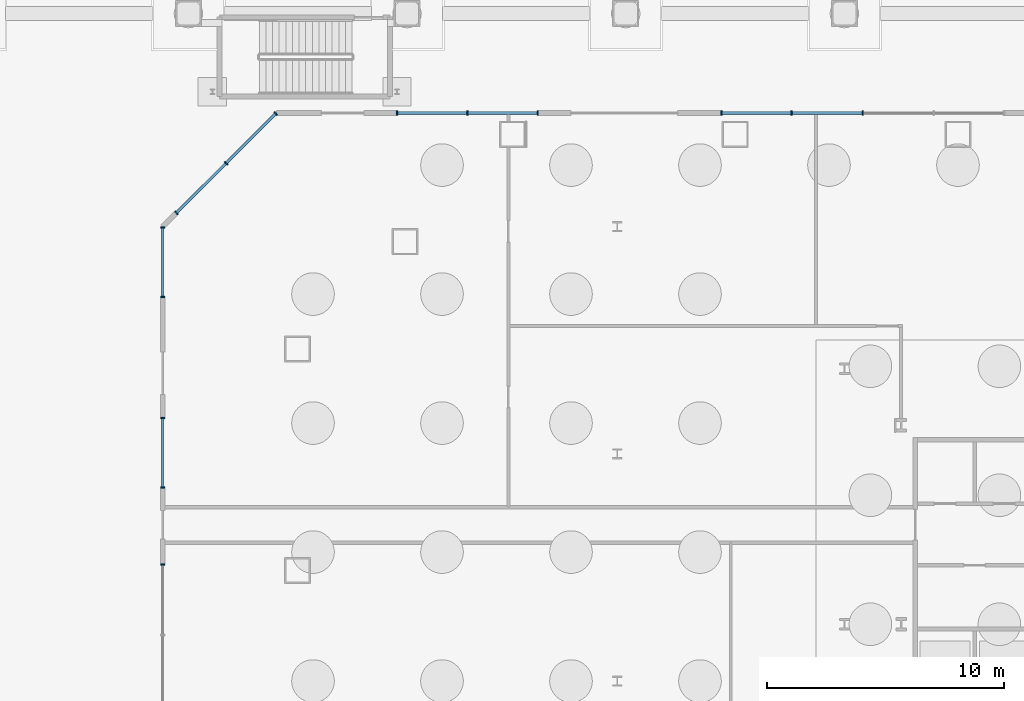
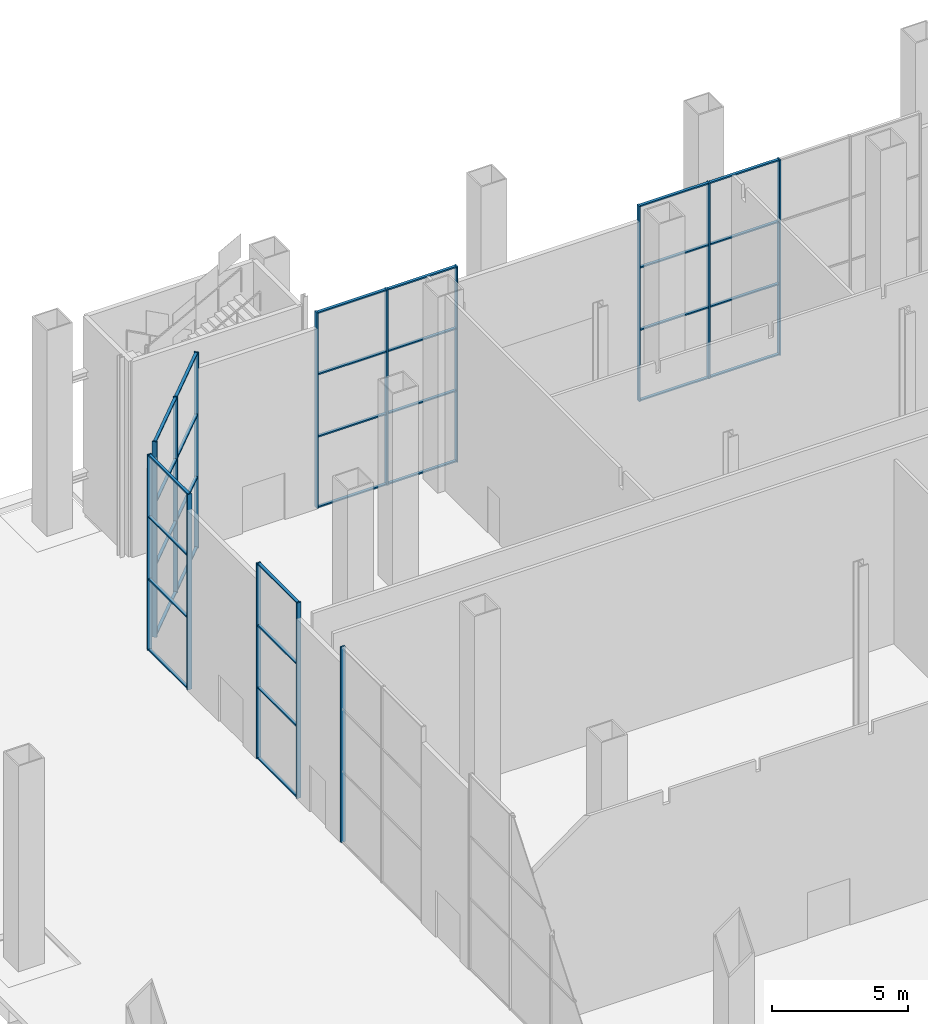
# One storey, part 15 of 38: 46 members, 6 elements without a shape of their own.
"""IFC4 building model written with IfcOpenShell, lengths in metres."""

from ifc_helpers import new_model, si_unit, direction, frame, origin, origin_2d, place, context, subcontext, project, spatial, rectangle, extrude, material, material_profile, profile_set, type_object, element, aggregate, save


model = new_model("IFC4")

# Units and contexts
model_context = context("Model", 3, precision=1e-05, world=origin(), true_north=direction((0.0, 1.0)))
body_context = subcontext(model_context, "Body", "Model", "MODEL_VIEW")
ifc_project = project(units=[si_unit("LENGTHUNIT", "METRE"), si_unit("AREAUNIT", "SQUARE_METRE"), si_unit("VOLUMEUNIT", "CUBIC_METRE"), si_unit("PLANEANGLEUNIT", "RADIAN"), si_unit("MASSUNIT", "GRAM", prefix="KILO")], contexts=[model_context])

# Site, building, storey
site_placement = place(None, origin())
site = spatial("IfcSite", under=ifc_project, at=site_placement, CompositionType="ELEMENT")
building_placement = place(site_placement, origin())
building = spatial("IfcBuilding", under=site, at=building_placement, Name="Cairn Pilgrim Tower", CompositionType="ELEMENT")
storey_placement = place(building_placement, origin())
storey = spatial("IfcBuildingStorey", under=building, at=storey_placement, Name="L00", CompositionType="ELEMENT", Elevation=0.0)

# Curtain wall, members
ifc_material_1 = material(Name="Bronze anodised aluminium with Tinted laminated low-E glass", Category="aluminium")
curtain_wall_type = type_object("IfcCurtainWallType", Name="PAVILION CW", PredefinedType="NOTDEFINED", material=ifc_material_1)
curtain_wall_1_placement = place(storey_placement, origin())
curtain_wall_1 = element("IfcCurtainWall", 1, at=curtain_wall_1_placement, inside=storey, type_object=curtain_wall_type, Name="PAVILION CW 4.5", PredefinedType="NOTDEFINED")
ifc_material_2 = material(Name="Bronze anodised aluminium", Category="aluminium")
ifc_material_profile_1 = material_profile(ifc_material_2, rectangle(XDim=0.179931640625, YDim=0.06005859375, at=origin_2d()), Name="PAVILION MULLION 60x180 BRONZE")
ifc_profile_set_1 = profile_set([ifc_material_profile_1], Name="Bronze anodised aluminium")
member_type_1 = type_object("IfcMemberType", Name="PAVILION MULLION 60x180 BRONZE", PredefinedType="MULLION", material=ifc_profile_set_1)
member_1_placement = place(storey_placement, frame((-4.02490234375, 24.0, 0.0), z_axis=(0.0, 0.0, 1.0), x_axis=(0.0, -1.0, 0.0)))
member_1 = element("IfcMember", 2, at=member_1_placement, type_object=member_type_1, Name="PCW-45 mullion 3", PredefinedType="MULLION", context=body_context, shape_type="SweptSolid", body=[
    extrude(rectangle(XDim=0.179931640625, YDim=0.06005859375, at=origin_2d()), origin(), (0.0, 0.0, 1.0), 8.800048828125),
])
member_2_placement = place(storey_placement, frame((-7.02490234375, 24.0, 0.0), z_axis=(0.0, 0.0, 1.0), x_axis=(0.0, -1.0, 0.0)))
member_2 = element("IfcMember", 3, at=member_2_placement, type_object=member_type_1, Name="PCW-45 mullion 4", PredefinedType="MULLION", context=body_context, shape_type="SweptSolid", body=[
    extrude(rectangle(XDim=0.179931640625, YDim=0.06005859375, at=origin_2d()), origin(), (0.0, 0.0, 1.0), 8.800048828125),
])
member_3_placement = place(storey_placement, frame((-9.9951171875, 24.0, 0.0), z_axis=(0.0, 0.0, 1.0), x_axis=(0.0, -1.0, 0.0)))
member_3 = element("IfcMember", 4, at=member_3_placement, type_object=member_type_1, Name="PCW-45 mullion 5", PredefinedType="MULLION", context=body_context, shape_type="SweptSolid", body=[
    extrude(rectangle(XDim=0.179931640625, YDim=0.06005859375, at=origin_2d()), origin(), (0.0, 0.0, 1.0), 8.800048828125),
])

curtain_wall_2_placement = place(storey_placement, origin())
curtain_wall_2 = element("IfcCurtainWall", 5, at=curtain_wall_2_placement, inside=storey, type_object=curtain_wall_type, Name="PAVILION CW 4.7", PredefinedType="NOTDEFINED")
member_4_placement = place(storey_placement, frame((-17.7548828125, 24.0, 0.0), z_axis=(0.0, 0.0, 1.0), x_axis=(0.0, -1.0, 0.0)))
member_4 = element("IfcMember", 6, at=member_4_placement, type_object=member_type_1, Name="PCW-47 mullion 1", PredefinedType="MULLION", context=body_context, shape_type="SweptSolid", body=[
    extrude(rectangle(XDim=0.179931640625, YDim=0.06005859375, at=origin_2d()), origin(), (0.0, 0.0, 1.0), 8.800048828125),
])
member_5_placement = place(storey_placement, frame((-20.72509765625, 24.0, 0.0), z_axis=(0.0, 0.0, 1.0), x_axis=(0.0, -1.0, 0.0)))
member_5 = element("IfcMember", 7, at=member_5_placement, type_object=member_type_1, Name="PCW-47 mullion 2", PredefinedType="MULLION", context=body_context, shape_type="SweptSolid", body=[
    extrude(rectangle(XDim=0.179931640625, YDim=0.06005859375, at=origin_2d()), origin(), (0.0, 0.0, 1.0), 8.800048828125),
])
member_6_placement = place(storey_placement, frame((-23.695068359375, 24.0, 0.0), z_axis=(0.0, 0.0, 1.0), x_axis=(0.0, -1.0, 0.0)))
member_6 = element("IfcMember", 8, at=member_6_placement, type_object=member_type_1, Name="PCW-47 mullion 3", PredefinedType="MULLION", context=body_context, shape_type="SweptSolid", body=[
    extrude(rectangle(XDim=0.179931640625, YDim=0.06005859375, at=origin_2d()), origin(), (0.0, 0.0, 1.0), 8.800048828125),
])

curtain_wall_3_placement = place(storey_placement, origin())
curtain_wall_3 = element("IfcCurtainWall", 9, at=curtain_wall_3_placement, inside=storey, type_object=curtain_wall_type, Name="PAVILION CW 5.1", PredefinedType="NOTDEFINED")
member_7_placement = place(storey_placement, frame((-28.8212890625, 23.978759765625, 0.0), z_axis=(0.0, 0.0, 1.0), x_axis=(0.707106781187, -0.707106781187, 0.0)))
member_7 = element("IfcMember", 10, at=member_7_placement, type_object=member_type_1, Name="PCW-51 mullion 1", PredefinedType="MULLION", context=body_context, shape_type="SweptSolid", body=[
    extrude(rectangle(XDim=0.179931640625, YDim=0.06005859375, at=origin_2d()), origin(), (0.0, 0.0, 1.0), 8.800048828125),
])
member_8_placement = place(storey_placement, frame((-30.92138671875, 21.878662109375, 0.0), z_axis=(0.0, 0.0, 1.0), x_axis=(0.707106781187, -0.707106781187, 0.0)))
member_8 = element("IfcMember", 11, at=member_8_placement, type_object=member_type_1, Name="PCW-51 mullion 2", PredefinedType="MULLION", context=body_context, shape_type="SweptSolid", body=[
    extrude(rectangle(XDim=0.179931640625, YDim=0.06005859375, at=origin_2d()), origin(), (0.0, 0.0, 1.0), 8.800048828125),
])
member_9_placement = place(storey_placement, frame((-33.021484375, 19.778564453125, 0.0), z_axis=(0.0, 0.0, 1.0), x_axis=(0.707106781187, -0.707106781187, 0.0)))
member_9 = element("IfcMember", 12, at=member_9_placement, type_object=member_type_1, Name="PCW-51 mullion 3", PredefinedType="MULLION", context=body_context, shape_type="SweptSolid", body=[
    extrude(rectangle(XDim=0.179931640625, YDim=0.06005859375, at=origin_2d()), origin(), (0.0, 0.0, 1.0), 8.800048828125),
])

curtain_wall_4_placement = place(storey_placement, origin())
curtain_wall_4 = element("IfcCurtainWall", 13, at=curtain_wall_4_placement, inside=storey, type_object=curtain_wall_type, Name="PAVILION CW 6.1", PredefinedType="NOTDEFINED")
member_10_placement = place(storey_placement, frame((-33.60009765625, 19.169921875, 0.0), z_axis=(0.0, 0.0, 1.0), x_axis=(1.0, 0.0, 0.0)))
member_10 = element("IfcMember", 14, at=member_10_placement, type_object=member_type_1, Name="PCW-61 mullion 1", PredefinedType="MULLION", context=body_context, shape_type="SweptSolid", body=[
    extrude(rectangle(XDim=0.179931640625, YDim=0.06005859375, at=origin_2d()), origin(), (0.0, 0.0, 1.0), 8.800048828125),
])
member_11_placement = place(storey_placement, frame((-33.60009765625, 16.22998046875, 0.0), z_axis=(0.0, 0.0, 1.0), x_axis=(1.0, 0.0, 0.0)))
member_11 = element("IfcMember", 15, at=member_11_placement, type_object=member_type_1, Name="PCW-61 mullion 2", PredefinedType="MULLION", context=body_context, shape_type="SweptSolid", body=[
    extrude(rectangle(XDim=0.179931640625, YDim=0.06005859375, at=origin_2d()), origin(), (0.0, 0.0, 1.0), 8.800048828125),
])

curtain_wall_5_placement = place(storey_placement, origin())
curtain_wall_5 = element("IfcCurtainWall", 16, at=curtain_wall_5_placement, inside=storey, type_object=curtain_wall_type, Name="PAVILION CW 6.3", PredefinedType="NOTDEFINED")
member_12_placement = place(storey_placement, frame((-33.60009765625, 11.1201171875, 0.0), z_axis=(0.0, 0.0, 1.0), x_axis=(1.0, 0.0, 0.0)))
member_12 = element("IfcMember", 17, at=member_12_placement, type_object=member_type_1, Name="PCW-63 mullion 1", PredefinedType="MULLION", context=body_context, shape_type="SweptSolid", body=[
    extrude(rectangle(XDim=0.179931640625, YDim=0.06005859375, at=origin_2d()), origin(), (0.0, 0.0, 1.0), 8.800048828125),
])
member_13_placement = place(storey_placement, frame((-33.60009765625, 8.179931640625, 0.0), z_axis=(0.0, 0.0, 1.0), x_axis=(1.0, 0.0, 0.0)))
member_13 = element("IfcMember", 18, at=member_13_placement, type_object=member_type_1, Name="PCW-63 mullion 2", PredefinedType="MULLION", context=body_context, shape_type="SweptSolid", body=[
    extrude(rectangle(XDim=0.179931640625, YDim=0.06005859375, at=origin_2d()), origin(), (0.0, 0.0, 1.0), 8.800048828125),
])

# Curtain wall, member
curtain_wall_6_placement = place(storey_placement, origin())
curtain_wall_6 = element("IfcCurtainWall", 19, at=curtain_wall_6_placement, inside=storey, type_object=curtain_wall_type, Name="PAVILION CW 6.5", PredefinedType="NOTDEFINED")
member_14_placement = place(storey_placement, frame((-33.60009765625, 4.919921875, 0.0), z_axis=(0.0, 0.0, 1.0), x_axis=(1.0, 0.0, 0.0)))
member_14 = element("IfcMember", 20, at=member_14_placement, type_object=member_type_1, Name="PCW-65 mullion 1", PredefinedType="MULLION", context=body_context, shape_type="SweptSolid", body=[
    extrude(rectangle(XDim=0.179931640625, YDim=0.06005859375, at=origin_2d()), origin(), (0.0, 0.0, 1.0), 8.800048828125),
])
aggregate(curtain_wall_6, [member_14])

# Member
ifc_material_profile_2 = material_profile(ifc_material_2, rectangle(XDim=0.1201171875, YDim=0.06005859375, at=origin_2d()), Name="PAVILION TRANSOM 60x120 BRONZE")
ifc_profile_set_2 = profile_set([ifc_material_profile_2], Name="Bronze anodised aluminium")
member_type_2 = type_object("IfcMemberType", Name="PAVILION TRANSOM 60x120 BRONZE", PredefinedType="USERDEFINED", material=ifc_profile_set_2)
member_15_placement = place(storey_placement, frame((-4.054931640625, 24.0, 0.030029296875), z_axis=(-1.0, 0.0, 0.0), x_axis=(0.0, -1.0, 0.0)))
member_15 = element("IfcMember", 21, at=member_15_placement, type_object=member_type_2, Name="PCW-45 transom 3.1", ObjectType="TRANSOM", PredefinedType="USERDEFINED", context=body_context, shape_type="SweptSolid", body=[
    extrude(rectangle(XDim=0.1201171875, YDim=0.06005859375, at=origin_2d()), origin(), (0.0, 0.0, 1.0), 2.940185546875),
])

member_16_placement = place(storey_placement, frame((-4.054931640625, 24.0, 3.199951171875), z_axis=(-1.0, 0.0, 0.0), x_axis=(0.0, -1.0, 0.0)))
member_16 = element("IfcMember", 22, at=member_16_placement, type_object=member_type_2, Name="PCW-45 transom 3.2", ObjectType="TRANSOM", PredefinedType="USERDEFINED", context=body_context, shape_type="SweptSolid", body=[
    extrude(rectangle(XDim=0.1201171875, YDim=0.06005859375, at=origin_2d()), origin(), (0.0, 0.0, 1.0), 2.940185546875),
])

member_17_placement = place(storey_placement, frame((-4.054931640625, 24.0, 6.0), z_axis=(-1.0, 0.0, 0.0), x_axis=(0.0, -1.0, 0.0)))
member_17 = element("IfcMember", 23, at=member_17_placement, type_object=member_type_2, Name="PCW-45 transom 3.3", ObjectType="TRANSOM", PredefinedType="USERDEFINED", context=body_context, shape_type="SweptSolid", body=[
    extrude(rectangle(XDim=0.1201171875, YDim=0.06005859375, at=origin_2d()), origin(), (0.0, 0.0, 1.0), 2.940185546875),
])

member_18_placement = place(storey_placement, frame((-4.054931640625, 24.0, 8.77001953125), z_axis=(-1.0, 0.0, 0.0), x_axis=(0.0, -1.0, 0.0)))
member_18 = element("IfcMember", 24, at=member_18_placement, type_object=member_type_2, Name="PCW-45 transom 3.4", ObjectType="TRANSOM", PredefinedType="USERDEFINED", context=body_context, shape_type="SweptSolid", body=[
    extrude(rectangle(XDim=0.1201171875, YDim=0.06005859375, at=origin_2d()), origin(), (0.0, 0.0, 1.0), 2.940185546875),
])

member_19_placement = place(storey_placement, frame((-7.054931640625, 24.0, 0.030029296875), z_axis=(-1.0, 0.0, 0.0), x_axis=(0.0, -1.0, 0.0)))
member_19 = element("IfcMember", 25, at=member_19_placement, type_object=member_type_2, Name="PCW-45 transom 4.1", ObjectType="TRANSOM", PredefinedType="USERDEFINED", context=body_context, shape_type="SweptSolid", body=[
    extrude(rectangle(XDim=0.1201171875, YDim=0.06005859375, at=origin_2d()), origin(), (0.0, 0.0, 1.0), 2.91015625),
])

member_20_placement = place(storey_placement, frame((-7.054931640625, 24.0, 3.199951171875), z_axis=(-1.0, 0.0, 0.0), x_axis=(0.0, -1.0, 0.0)))
member_20 = element("IfcMember", 26, at=member_20_placement, type_object=member_type_2, Name="PCW-45 transom 4.2", ObjectType="TRANSOM", PredefinedType="USERDEFINED", context=body_context, shape_type="SweptSolid", body=[
    extrude(rectangle(XDim=0.1201171875, YDim=0.06005859375, at=origin_2d()), origin(), (0.0, 0.0, 1.0), 2.91015625),
])

member_21_placement = place(storey_placement, frame((-7.054931640625, 24.0, 6.0), z_axis=(-1.0, 0.0, 0.0), x_axis=(0.0, -1.0, 0.0)))
member_21 = element("IfcMember", 27, at=member_21_placement, type_object=member_type_2, Name="PCW-45 transom 4.3", ObjectType="TRANSOM", PredefinedType="USERDEFINED", context=body_context, shape_type="SweptSolid", body=[
    extrude(rectangle(XDim=0.1201171875, YDim=0.06005859375, at=origin_2d()), origin(), (0.0, 0.0, 1.0), 2.91015625),
])

member_22_placement = place(storey_placement, frame((-7.054931640625, 24.0, 8.77001953125), z_axis=(-1.0, 0.0, 0.0), x_axis=(0.0, -1.0, 0.0)))
member_22 = element("IfcMember", 28, at=member_22_placement, type_object=member_type_2, Name="PCW-45 transom 4.4", ObjectType="TRANSOM", PredefinedType="USERDEFINED", context=body_context, shape_type="SweptSolid", body=[
    extrude(rectangle(XDim=0.1201171875, YDim=0.06005859375, at=origin_2d()), origin(), (0.0, 0.0, 1.0), 2.91015625),
])

aggregate(curtain_wall_1, [member_1, member_2, member_3, member_15, member_16, member_17, member_18, member_19, member_20, member_21, member_22])

member_23_placement = place(storey_placement, frame((-17.784912109375, 24.0, 0.030029296875), z_axis=(-1.0, 0.0, 0.0), x_axis=(0.0, -1.0, 0.0)))
member_23 = element("IfcMember", 29, at=member_23_placement, type_object=member_type_2, Name="PCW-47 transom 1.1", ObjectType="TRANSOM", PredefinedType="USERDEFINED", context=body_context, shape_type="SweptSolid", body=[
    extrude(rectangle(XDim=0.1201171875, YDim=0.06005859375, at=origin_2d()), origin(), (0.0, 0.0, 1.0), 2.91015625),
])

member_24_placement = place(storey_placement, frame((-17.784912109375, 24.0, 3.199951171875), z_axis=(-1.0, 0.0, 0.0), x_axis=(0.0, -1.0, 0.0)))
member_24 = element("IfcMember", 30, at=member_24_placement, type_object=member_type_2, Name="PCW-47 transom 1.2", ObjectType="TRANSOM", PredefinedType="USERDEFINED", context=body_context, shape_type="SweptSolid", body=[
    extrude(rectangle(XDim=0.1201171875, YDim=0.06005859375, at=origin_2d()), origin(), (0.0, 0.0, 1.0), 2.91015625),
])

member_25_placement = place(storey_placement, frame((-17.784912109375, 24.0, 6.0), z_axis=(-1.0, 0.0, 0.0), x_axis=(0.0, -1.0, 0.0)))
member_25 = element("IfcMember", 31, at=member_25_placement, type_object=member_type_2, Name="PCW-47 transom 1.3", ObjectType="TRANSOM", PredefinedType="USERDEFINED", context=body_context, shape_type="SweptSolid", body=[
    extrude(rectangle(XDim=0.1201171875, YDim=0.06005859375, at=origin_2d()), origin(), (0.0, 0.0, 1.0), 2.91015625),
])

member_26_placement = place(storey_placement, frame((-17.784912109375, 24.0, 8.77001953125), z_axis=(-1.0, 0.0, 0.0), x_axis=(0.0, -1.0, 0.0)))
member_26 = element("IfcMember", 32, at=member_26_placement, type_object=member_type_2, Name="PCW-47 transom 1.4", ObjectType="TRANSOM", PredefinedType="USERDEFINED", context=body_context, shape_type="SweptSolid", body=[
    extrude(rectangle(XDim=0.1201171875, YDim=0.06005859375, at=origin_2d()), origin(), (0.0, 0.0, 1.0), 2.91015625),
])

member_27_placement = place(storey_placement, frame((-20.7548828125, 24.0, 0.030029296875), z_axis=(-1.0, 0.0, 0.0), x_axis=(0.0, -1.0, 0.0)))
member_27 = element("IfcMember", 33, at=member_27_placement, type_object=member_type_2, Name="PCW-47 transom 2.1", ObjectType="TRANSOM", PredefinedType="USERDEFINED", context=body_context, shape_type="SweptSolid", body=[
    extrude(rectangle(XDim=0.1201171875, YDim=0.06005859375, at=origin_2d()), origin(), (0.0, 0.0, 1.0), 2.91015625),
])

member_28_placement = place(storey_placement, frame((-20.7548828125, 24.0, 3.199951171875), z_axis=(-1.0, 0.0, 0.0), x_axis=(0.0, -1.0, 0.0)))
member_28 = element("IfcMember", 34, at=member_28_placement, type_object=member_type_2, Name="PCW-47 transom 2.2", ObjectType="TRANSOM", PredefinedType="USERDEFINED", context=body_context, shape_type="SweptSolid", body=[
    extrude(rectangle(XDim=0.1201171875, YDim=0.06005859375, at=origin_2d()), origin(), (0.0, 0.0, 1.0), 2.91015625),
])

member_29_placement = place(storey_placement, frame((-20.7548828125, 24.0, 6.0), z_axis=(-1.0, 0.0, 0.0), x_axis=(0.0, -1.0, 0.0)))
member_29 = element("IfcMember", 35, at=member_29_placement, type_object=member_type_2, Name="PCW-47 transom 2.3", ObjectType="TRANSOM", PredefinedType="USERDEFINED", context=body_context, shape_type="SweptSolid", body=[
    extrude(rectangle(XDim=0.1201171875, YDim=0.06005859375, at=origin_2d()), origin(), (0.0, 0.0, 1.0), 2.91015625),
])

member_30_placement = place(storey_placement, frame((-20.7548828125, 24.0, 8.77001953125), z_axis=(-1.0, 0.0, 0.0), x_axis=(0.0, -1.0, 0.0)))
member_30 = element("IfcMember", 36, at=member_30_placement, type_object=member_type_2, Name="PCW-47 transom 2.4", ObjectType="TRANSOM", PredefinedType="USERDEFINED", context=body_context, shape_type="SweptSolid", body=[
    extrude(rectangle(XDim=0.1201171875, YDim=0.06005859375, at=origin_2d()), origin(), (0.0, 0.0, 1.0), 2.91015625),
])

aggregate(curtain_wall_2, [member_4, member_5, member_6, member_23, member_24, member_25, member_26, member_27, member_28, member_29, member_30])

member_31_placement = place(storey_placement, frame((-28.842529296875, 23.95751953125, 0.030029296875), z_axis=(-0.707106781187, -0.707106781187, 0.0), x_axis=(0.707106781187, -0.707106781187, 0.0)))
member_31 = element("IfcMember", 37, at=member_31_placement, type_object=member_type_2, Name="PCW-51 transom 1.1", ObjectType="TRANSOM", PredefinedType="USERDEFINED", context=body_context, shape_type="SweptSolid", body=[
    extrude(rectangle(XDim=0.1201171875, YDim=0.06005859375, at=origin_2d()), origin(), (0.0, 0.0, 1.0), 2.909912109375),
])

member_32_placement = place(storey_placement, frame((-28.842529296875, 23.95751953125, 3.199951171875), z_axis=(-0.707106781187, -0.707106781187, 0.0), x_axis=(0.707106781187, -0.707106781187, 0.0)))
member_32 = element("IfcMember", 38, at=member_32_placement, type_object=member_type_2, Name="PCW-51 transom 1.2", ObjectType="TRANSOM", PredefinedType="USERDEFINED", context=body_context, shape_type="SweptSolid", body=[
    extrude(rectangle(XDim=0.1201171875, YDim=0.06005859375, at=origin_2d()), origin(), (0.0, 0.0, 1.0), 2.909912109375),
])

member_33_placement = place(storey_placement, frame((-28.842529296875, 23.95751953125, 6.0), z_axis=(-0.707106781187, -0.707106781187, 0.0), x_axis=(0.707106781187, -0.707106781187, 0.0)))
member_33 = element("IfcMember", 39, at=member_33_placement, type_object=member_type_2, Name="PCW-51 transom 1.3", ObjectType="TRANSOM", PredefinedType="USERDEFINED", context=body_context, shape_type="SweptSolid", body=[
    extrude(rectangle(XDim=0.1201171875, YDim=0.06005859375, at=origin_2d()), origin(), (0.0, 0.0, 1.0), 2.909912109375),
])

member_34_placement = place(storey_placement, frame((-28.842529296875, 23.95751953125, 8.77001953125), z_axis=(-0.707106781187, -0.707106781187, 0.0), x_axis=(0.707106781187, -0.707106781187, 0.0)))
member_34 = element("IfcMember", 40, at=member_34_placement, type_object=member_type_2, Name="PCW-51 transom 1.4", ObjectType="TRANSOM", PredefinedType="USERDEFINED", context=body_context, shape_type="SweptSolid", body=[
    extrude(rectangle(XDim=0.1201171875, YDim=0.06005859375, at=origin_2d()), origin(), (0.0, 0.0, 1.0), 2.909912109375),
])

member_35_placement = place(storey_placement, frame((-30.942626953125, 21.857421875, 0.030029296875), z_axis=(-0.707106781187, -0.707106781187, 0.0), x_axis=(0.707106781187, -0.707106781187, 0.0)))
member_35 = element("IfcMember", 41, at=member_35_placement, type_object=member_type_2, Name="PCW-51 transom 2.1", ObjectType="TRANSOM", PredefinedType="USERDEFINED", context=body_context, shape_type="SweptSolid", body=[
    extrude(rectangle(XDim=0.1201171875, YDim=0.06005859375, at=origin_2d()), origin(), (0.0, 0.0, 1.0), 2.909912109375),
])

member_36_placement = place(storey_placement, frame((-30.942626953125, 21.857421875, 3.199951171875), z_axis=(-0.707106781187, -0.707106781187, 0.0), x_axis=(0.707106781187, -0.707106781187, 0.0)))
member_36 = element("IfcMember", 42, at=member_36_placement, type_object=member_type_2, Name="PCW-51 transom 2.2", ObjectType="TRANSOM", PredefinedType="USERDEFINED", context=body_context, shape_type="SweptSolid", body=[
    extrude(rectangle(XDim=0.1201171875, YDim=0.06005859375, at=origin_2d()), origin(), (0.0, 0.0, 1.0), 2.909912109375),
])

member_37_placement = place(storey_placement, frame((-30.942626953125, 21.857421875, 6.0), z_axis=(-0.707106781187, -0.707106781187, 0.0), x_axis=(0.707106781187, -0.707106781187, 0.0)))
member_37 = element("IfcMember", 43, at=member_37_placement, type_object=member_type_2, Name="PCW-51 transom 2.3", ObjectType="TRANSOM", PredefinedType="USERDEFINED", context=body_context, shape_type="SweptSolid", body=[
    extrude(rectangle(XDim=0.1201171875, YDim=0.06005859375, at=origin_2d()), origin(), (0.0, 0.0, 1.0), 2.909912109375),
])

member_38_placement = place(storey_placement, frame((-30.942626953125, 21.857421875, 8.77001953125), z_axis=(-0.707106781187, -0.707106781187, 0.0), x_axis=(0.707106781187, -0.707106781187, 0.0)))
member_38 = element("IfcMember", 44, at=member_38_placement, type_object=member_type_2, Name="PCW-51 transom 2.4", ObjectType="TRANSOM", PredefinedType="USERDEFINED", context=body_context, shape_type="SweptSolid", body=[
    extrude(rectangle(XDim=0.1201171875, YDim=0.06005859375, at=origin_2d()), origin(), (0.0, 0.0, 1.0), 2.909912109375),
])

aggregate(curtain_wall_3, [member_7, member_8, member_9, member_31, member_32, member_33, member_34, member_35, member_36, member_37, member_38])

member_39_placement = place(storey_placement, frame((-33.60009765625, 19.139892578125, 0.030029296875), z_axis=(0.0, -1.0, 0.0), x_axis=(1.0, 0.0, 0.0)))
member_39 = element("IfcMember", 45, at=member_39_placement, type_object=member_type_2, Name="PCW-61 transom 1.1", ObjectType="TRANSOM", PredefinedType="USERDEFINED", context=body_context, shape_type="SweptSolid", body=[
    extrude(rectangle(XDim=0.1201171875, YDim=0.06005859375, at=origin_2d()), origin(), (0.0, 0.0, 1.0), 2.8798828125),
])

member_40_placement = place(storey_placement, frame((-33.60009765625, 19.139892578125, 3.199951171875), z_axis=(0.0, -1.0, 0.0), x_axis=(1.0, 0.0, 0.0)))
member_40 = element("IfcMember", 46, at=member_40_placement, type_object=member_type_2, Name="PCW-61 transom 1.2", ObjectType="TRANSOM", PredefinedType="USERDEFINED", context=body_context, shape_type="SweptSolid", body=[
    extrude(rectangle(XDim=0.1201171875, YDim=0.06005859375, at=origin_2d()), origin(), (0.0, 0.0, 1.0), 2.8798828125),
])

member_41_placement = place(storey_placement, frame((-33.60009765625, 19.139892578125, 6.0), z_axis=(0.0, -1.0, 0.0), x_axis=(1.0, 0.0, 0.0)))
member_41 = element("IfcMember", 47, at=member_41_placement, type_object=member_type_2, Name="PCW-61 transom 1.3", ObjectType="TRANSOM", PredefinedType="USERDEFINED", context=body_context, shape_type="SweptSolid", body=[
    extrude(rectangle(XDim=0.1201171875, YDim=0.06005859375, at=origin_2d()), origin(), (0.0, 0.0, 1.0), 2.8798828125),
])

member_42_placement = place(storey_placement, frame((-33.60009765625, 19.139892578125, 8.77001953125), z_axis=(0.0, -1.0, 0.0), x_axis=(1.0, 0.0, 0.0)))
member_42 = element("IfcMember", 48, at=member_42_placement, type_object=member_type_2, Name="PCW-61 transom 1.4", ObjectType="TRANSOM", PredefinedType="USERDEFINED", context=body_context, shape_type="SweptSolid", body=[
    extrude(rectangle(XDim=0.1201171875, YDim=0.06005859375, at=origin_2d()), origin(), (0.0, 0.0, 1.0), 2.8798828125),
])

aggregate(curtain_wall_4, [member_10, member_11, member_39, member_40, member_41, member_42])

member_43_placement = place(storey_placement, frame((-33.60009765625, 11.090087890625, 0.030029296875), z_axis=(0.0, -1.0, 0.0), x_axis=(1.0, 0.0, 0.0)))
member_43 = element("IfcMember", 49, at=member_43_placement, type_object=member_type_2, Name="PCW-63 transom 1.1", ObjectType="TRANSOM", PredefinedType="USERDEFINED", context=body_context, shape_type="SweptSolid", body=[
    extrude(rectangle(XDim=0.1201171875, YDim=0.06005859375, at=origin_2d()), origin(), (0.0, 0.0, 1.0), 2.880126953125),
])

member_44_placement = place(storey_placement, frame((-33.60009765625, 11.090087890625, 3.199951171875), z_axis=(0.0, -1.0, 0.0), x_axis=(1.0, 0.0, 0.0)))
member_44 = element("IfcMember", 50, at=member_44_placement, type_object=member_type_2, Name="PCW-63 transom 1.2", ObjectType="TRANSOM", PredefinedType="USERDEFINED", context=body_context, shape_type="SweptSolid", body=[
    extrude(rectangle(XDim=0.1201171875, YDim=0.06005859375, at=origin_2d()), origin(), (0.0, 0.0, 1.0), 2.880126953125),
])

member_45_placement = place(storey_placement, frame((-33.60009765625, 11.090087890625, 6.0), z_axis=(0.0, -1.0, 0.0), x_axis=(1.0, 0.0, 0.0)))
member_45 = element("IfcMember", 51, at=member_45_placement, type_object=member_type_2, Name="PCW-63 transom 1.3", ObjectType="TRANSOM", PredefinedType="USERDEFINED", context=body_context, shape_type="SweptSolid", body=[
    extrude(rectangle(XDim=0.1201171875, YDim=0.06005859375, at=origin_2d()), origin(), (0.0, 0.0, 1.0), 2.880126953125),
])

member_46_placement = place(storey_placement, frame((-33.60009765625, 11.090087890625, 8.77001953125), z_axis=(0.0, -1.0, 0.0), x_axis=(1.0, 0.0, 0.0)))
member_46 = element("IfcMember", 52, at=member_46_placement, type_object=member_type_2, Name="PCW-63 transom 1.4", ObjectType="TRANSOM", PredefinedType="USERDEFINED", context=body_context, shape_type="SweptSolid", body=[
    extrude(rectangle(XDim=0.1201171875, YDim=0.06005859375, at=origin_2d()), origin(), (0.0, 0.0, 1.0), 2.880126953125),
])

aggregate(curtain_wall_5, [member_12, member_13, member_43, member_44, member_45, member_46])

save(model, "model.ifc")
